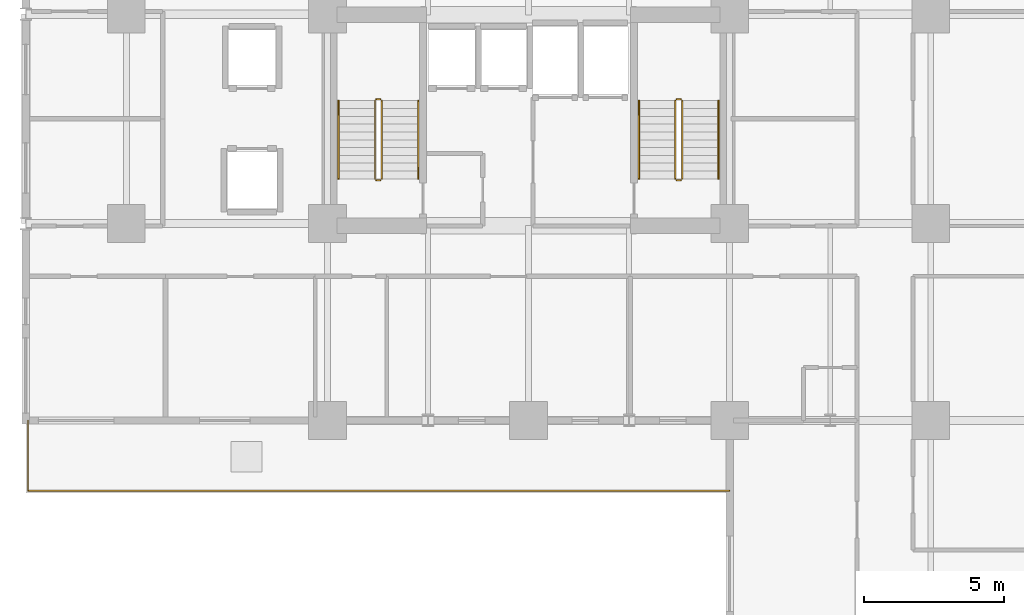
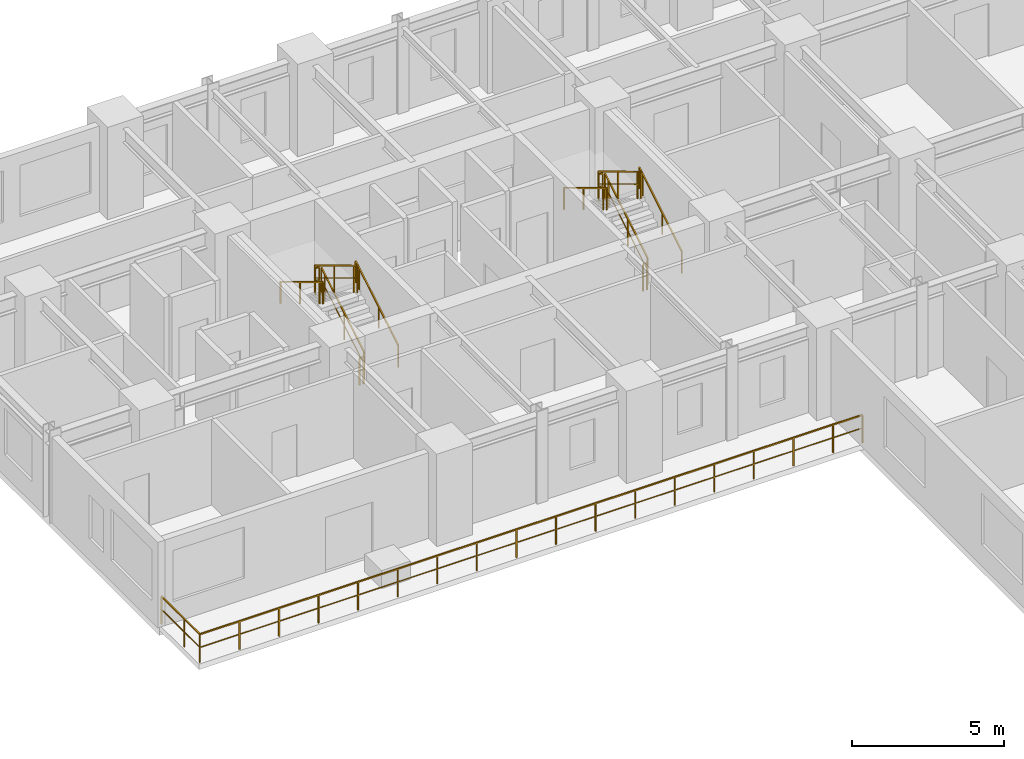
# One storey, part 9 of 11: 14 railings.
"""IFC4 building model written with IfcOpenShell, lengths in metres."""

from ifc_helpers import new_model, si_unit, direction, frame, origin, origin_2d, place, context, subcontext, project, spatial, rectangle, extrude, material, type_object, element, save


model = new_model("IFC4")

# Units and contexts
model_context = context("Model", 3, precision=1e-05, world=origin(), true_north=direction((0.0, 1.0)))
body_context = subcontext(model_context, "Body", "Model", "MODEL_VIEW")
ifc_project = project(units=[si_unit("LENGTHUNIT", "METRE"), si_unit("AREAUNIT", "SQUARE_METRE"), si_unit("VOLUMEUNIT", "CUBIC_METRE"), si_unit("PLANEANGLEUNIT", "RADIAN"), si_unit("MASSUNIT", "GRAM", prefix="KILO")], contexts=[model_context])

# Site, building, storey
site_placement = place(None, origin())
site = spatial("IfcSite", under=ifc_project, at=site_placement, CompositionType="ELEMENT")
building_placement = place(site_placement, origin())
building = spatial("IfcBuilding", under=site, at=building_placement, Name="Kaliganga Portal Commons", CompositionType="ELEMENT")
storey_placement = place(building_placement, frame((0.0, 0.0, 25.300048828125)))
storey = spatial("IfcBuildingStorey", under=building, at=storey_placement, Name="L05", CompositionType="ELEMENT", Elevation=25.300048828125)

# Railings
ifc_material_1 = material(Name="Laminated Safety Glass and Stainless Steel 316", Category="steel")
railing_type_1 = type_object("IfcRailingType", Name="RLG-BAL-1150", PredefinedType="BALUSTRADE", material=ifc_material_1)
railing_1_placement = place(storey_placement, frame((3.679931640625, 21.60009765625, 0.0)))
element("IfcRailing", 1, at=railing_1_placement, inside=storey, type_object=railing_type_1, Name="Terrace Guardrail L05 skygarden_l05-01-1", PredefinedType="BALUSTRADE", context=body_context, shape_type="SweptSolid", body=[
    extrude(rectangle(XDim=0.048095703125, YDim=0.048095703125, at=origin_2d()), frame((0.0, 0.0, 1.1259765625), z_axis=(0.0, -1.0, 0.0), x_axis=(1.0, 0.0, 0.0)), (0.0, 0.0, 1.0), 2.52001953125),
    extrude(rectangle(XDim=0.028076171875, YDim=0.028076171875, at=origin_2d()), frame((0.0, 0.0, 0.597900390625), z_axis=(0.0, -1.0, 0.0), x_axis=(1.0, 0.0, 0.0)), (0.0, 0.0, 1.0), 2.52001953125),
    extrude(rectangle(XDim=0.0419921875, YDim=0.0419921875, at=origin_2d()), origin(), (0.0, 0.0, 1.0), 1.101806640625),
    extrude(rectangle(XDim=0.0419921875, YDim=0.0419921875, at=origin_2d()), frame((0.0, -1.5, 0.0)), (0.0, 0.0, 1.0), 1.101806640625),
    extrude(rectangle(XDim=0.0419921875, YDim=0.0419921875, at=origin_2d()), frame((0.0, -2.52001953125, 0.0)), (0.0, 0.0, 1.0), 1.101806640625),
])
railing_2_placement = place(storey_placement, frame((3.679931640625, 19.080078125, 0.0)))
element("IfcRailing", 2, at=railing_2_placement, inside=storey, type_object=railing_type_1, Name="Terrace Guardrail L05 skygarden_l05-02-1", PredefinedType="BALUSTRADE", context=body_context, shape_type="SweptSolid", body=[
    extrude(rectangle(XDim=0.048095703125, YDim=0.048095703125, at=origin_2d()), frame((0.0, 0.0, 1.1259765625), z_axis=(1.0, 0.0, 0.0), x_axis=(0.0, 1.0, 0.0)), (0.0, 0.0, 1.0), 25.1201171875),
    extrude(rectangle(XDim=0.028076171875, YDim=0.028076171875, at=origin_2d()), frame((0.0, 0.0, 0.597900390625), z_axis=(1.0, 0.0, 0.0), x_axis=(0.0, 1.0, 0.0)), (0.0, 0.0, 1.0), 25.1201171875),
    extrude(rectangle(XDim=0.0419921875, YDim=0.0419921875, at=origin_2d()), origin(), (0.0, 0.0, 1.0), 1.101806640625),
    extrude(rectangle(XDim=0.0419921875, YDim=0.0419921875, at=origin_2d()), frame((1.5, 0.0, 0.0)), (0.0, 0.0, 1.0), 1.101806640625),
    extrude(rectangle(XDim=0.0419921875, YDim=0.0419921875, at=origin_2d()), frame((3.0, 0.0, 0.0)), (0.0, 0.0, 1.0), 1.101806640625),
    extrude(rectangle(XDim=0.0419921875, YDim=0.0419921875, at=origin_2d()), frame((4.5, 0.0, 0.0)), (0.0, 0.0, 1.0), 1.101806640625),
    extrude(rectangle(XDim=0.0419921875, YDim=0.0419921875, at=origin_2d()), frame((6.0, 0.0, 0.0)), (0.0, 0.0, 1.0), 1.101806640625),
    extrude(rectangle(XDim=0.0419921875, YDim=0.0419921875, at=origin_2d()), frame((7.5, 0.0, 0.0)), (0.0, 0.0, 1.0), 1.101806640625),
    extrude(rectangle(XDim=0.0419921875, YDim=0.0419921875, at=origin_2d()), frame((9.0, 0.0, 0.0)), (0.0, 0.0, 1.0), 1.101806640625),
    extrude(rectangle(XDim=0.0419921875, YDim=0.0419921875, at=origin_2d()), frame((10.5, 0.0, 0.0)), (0.0, 0.0, 1.0), 1.101806640625),
    extrude(rectangle(XDim=0.0419921875, YDim=0.0419921875, at=origin_2d()), frame((12.0, 0.0, 0.0)), (0.0, 0.0, 1.0), 1.101806640625),
    extrude(rectangle(XDim=0.0419921875, YDim=0.0419921875, at=origin_2d()), frame((13.5, 0.0, 0.0)), (0.0, 0.0, 1.0), 1.101806640625),
    extrude(rectangle(XDim=0.0419921875, YDim=0.0419921875, at=origin_2d()), frame((15.0, 0.0, 0.0)), (0.0, 0.0, 1.0), 1.101806640625),
    extrude(rectangle(XDim=0.0419921875, YDim=0.0419921875, at=origin_2d()), frame((16.5, 0.0, 0.0)), (0.0, 0.0, 1.0), 1.101806640625),
    extrude(rectangle(XDim=0.0419921875, YDim=0.0419921875, at=origin_2d()), frame((18.0, 0.0, 0.0)), (0.0, 0.0, 1.0), 1.101806640625),
    extrude(rectangle(XDim=0.0419921875, YDim=0.0419921875, at=origin_2d()), frame((19.5, 0.0, 0.0)), (0.0, 0.0, 1.0), 1.101806640625),
    extrude(rectangle(XDim=0.0419921875, YDim=0.0419921875, at=origin_2d()), frame((21.0, 0.0, 0.0)), (0.0, 0.0, 1.0), 1.101806640625),
    extrude(rectangle(XDim=0.0419921875, YDim=0.0419921875, at=origin_2d()), frame((22.5, 0.0, 0.0)), (0.0, 0.0, 1.0), 1.101806640625),
    extrude(rectangle(XDim=0.0419921875, YDim=0.0419921875, at=origin_2d()), frame((24.0, 0.0, 0.0)), (0.0, 0.0, 1.0), 1.101806640625),
    extrude(rectangle(XDim=0.0419921875, YDim=0.0419921875, at=origin_2d()), frame((25.1201171875, 0.0, 0.0)), (0.0, 0.0, 1.0), 1.101806640625),
])
ifc_material_2 = material(Name="Galvanized Painted Steel Balustrade", Category="steel")
railing_type_2 = type_object("IfcRailingType", Name="RLG-STAIR-GRD", PredefinedType="GUARDRAIL", material=ifc_material_2)
railing_3_placement = place(storey_placement, frame((16.35009765625, 30.25, 0.168212890625)))
element("IfcRailing", 3, at=railing_3_placement, inside=storey, type_object=railing_type_2, Name="L05 ST-A1 stair guard 1", PredefinedType="GUARDRAIL", context=body_context, shape_type="SweptSolid", body=[
    extrude(rectangle(XDim=0.048095703125, YDim=0.048095703125, at=origin_2d()), frame((0.0, 0.0, 1.072021484375), z_axis=(0.0, 0.857275202839, 0.514858452973), x_axis=(-1.0, 0.0, 0.0)), (0.0, 0.0, 1.0), 3.26611328125),
    extrude(rectangle(XDim=0.028076171875, YDim=0.028076171875, at=origin_2d()), frame((0.0, 0.0, 0.572021484375), z_axis=(0.0, 0.857275202839, 0.514858452973), x_axis=(-1.0, 0.0, 0.0)), (0.0, 0.0, 1.0), 3.26611328125),
    extrude(rectangle(XDim=0.0419921875, YDim=0.0419921875, at=origin_2d()), origin(), (0.0, 0.0, 1.0), 1.052001953125),
    extrude(rectangle(XDim=0.0419921875, YDim=0.0419921875, at=origin_2d()), frame((0.0, 1.285888671875, 0.772216796875)), (0.0, 0.0, 1.0), 1.052001953125),
    extrude(rectangle(XDim=0.0419921875, YDim=0.0419921875, at=origin_2d()), frame((0.0, 2.57177734375, 1.544677734375)), (0.0, 0.0, 1.0), 1.052001953125),
    extrude(rectangle(XDim=0.0419921875, YDim=0.0419921875, at=origin_2d()), frame((0.0, 2.800048828125, 1.681640625)), (0.0, 0.0, 1.0), 1.052001953125),
])
railing_4_placement = place(storey_placement, frame((16.300048828125, 33.10009765625, 1.849853515625)))
element("IfcRailing", 4, at=railing_4_placement, inside=storey, type_object=railing_type_2, Name="L05 ST-A1 stair guard 2", PredefinedType="GUARDRAIL", context=body_context, shape_type="SweptSolid", body=[
    extrude(rectangle(XDim=0.048095703125, YDim=0.048095703125, at=origin_2d()), frame((0.0, 0.0, 1.076171875), z_axis=(-1.0, 0.0, 0.0), x_axis=(0.0, -1.0, 0.0)), (0.0, 0.0, 1.0), 0.150146484375),
    extrude(rectangle(XDim=0.028076171875, YDim=0.028076171875, at=origin_2d()), frame((0.0, 0.0, 0.572021484375), z_axis=(-1.0, 0.0, 0.0), x_axis=(0.0, -1.0, 0.0)), (0.0, 0.0, 1.0), 0.150146484375),
    extrude(rectangle(XDim=0.0419921875, YDim=0.0419921875, at=origin_2d()), origin(), (0.0, 0.0, 1.0), 1.052001953125),
    extrude(rectangle(XDim=0.0419921875, YDim=0.0419921875, at=origin_2d()), frame((-0.150146484375, 0.0, 0.0)), (0.0, 0.0, 1.0), 1.052001953125),
])
railing_5_placement = place(storey_placement, frame((16.10009765625, 33.050048828125, 2.01806640625)))
element("IfcRailing", 5, at=railing_5_placement, inside=storey, type_object=railing_type_2, Name="L05 ST-A1 stair guard 3", PredefinedType="GUARDRAIL", context=body_context, shape_type="SweptSolid", body=[
    extrude(rectangle(XDim=0.048095703125, YDim=0.048095703125, at=origin_2d()), frame((0.0, 0.0, 1.072021484375), z_axis=(0.0, -0.857242210791, 0.514913383045), x_axis=(1.0, 0.0, 0.0)), (0.0, 0.0, 1.0), 3.266357421875),
    extrude(rectangle(XDim=0.028076171875, YDim=0.028076171875, at=origin_2d()), frame((0.0, 0.0, 0.572021484375), z_axis=(0.0, -0.857242210791, 0.514913383045), x_axis=(1.0, 0.0, 0.0)), (0.0, 0.0, 1.0), 3.266357421875),
    extrude(rectangle(XDim=0.0419921875, YDim=0.0419921875, at=origin_2d()), origin(), (0.0, 0.0, 1.0), 1.052001953125),
    extrude(rectangle(XDim=0.0419921875, YDim=0.0419921875, at=origin_2d()), frame((0.0, -1.285888671875, 0.7724609375)), (0.0, 0.0, 1.0), 1.052001953125),
    extrude(rectangle(XDim=0.0419921875, YDim=0.0419921875, at=origin_2d()), frame((0.0, -2.57177734375, 1.544677734375)), (0.0, 0.0, 1.0), 1.052001953125),
    extrude(rectangle(XDim=0.0419921875, YDim=0.0419921875, at=origin_2d()), frame((0.0, -2.800048828125, 1.681884765625)), (0.0, 0.0, 1.0), 1.052001953125),
])
railing_6_placement = place(storey_placement, frame((16.300048828125, 30.199951171875, 0.0)))
element("IfcRailing", 6, at=railing_6_placement, inside=storey, type_object=railing_type_2, Name="L05 ST-A1 stair guard 4", PredefinedType="GUARDRAIL", context=body_context, shape_type="SweptSolid", body=[
    extrude(rectangle(XDim=0.048095703125, YDim=0.048095703125, at=origin_2d()), frame((0.0, 0.0, 1.076171875), z_axis=(-1.0, 0.0, 0.0), x_axis=(0.0, -1.0, 0.0)), (0.0, 0.0, 1.0), 0.150146484375),
    extrude(rectangle(XDim=0.028076171875, YDim=0.028076171875, at=origin_2d()), frame((0.0, 0.0, 0.572021484375), z_axis=(-1.0, 0.0, 0.0), x_axis=(0.0, -1.0, 0.0)), (0.0, 0.0, 1.0), 0.150146484375),
    extrude(rectangle(XDim=0.0419921875, YDim=0.0419921875, at=origin_2d()), origin(), (0.0, 0.0, 1.0), 1.052001953125),
    extrude(rectangle(XDim=0.0419921875, YDim=0.0419921875, at=origin_2d()), frame((-0.150146484375, 0.0, 0.0)), (0.0, 0.0, 1.0), 1.052001953125),
])
railing_7_placement = place(storey_placement, frame((27.10009765625, 30.25, 0.168212890625)))
element("IfcRailing", 7, at=railing_7_placement, inside=storey, type_object=railing_type_2, Name="L05 ST-A2 stair guard 1", PredefinedType="GUARDRAIL", context=body_context, shape_type="SweptSolid", body=[
    extrude(rectangle(XDim=0.048095703125, YDim=0.048095703125, at=origin_2d()), frame((0.0, 0.0, 1.072021484375), z_axis=(0.0, 0.857275202839, 0.514858452973), x_axis=(-1.0, 0.0, 0.0)), (0.0, 0.0, 1.0), 3.26611328125),
    extrude(rectangle(XDim=0.028076171875, YDim=0.028076171875, at=origin_2d()), frame((0.0, 0.0, 0.572021484375), z_axis=(0.0, 0.857275202839, 0.514858452973), x_axis=(-1.0, 0.0, 0.0)), (0.0, 0.0, 1.0), 3.26611328125),
    extrude(rectangle(XDim=0.0419921875, YDim=0.0419921875, at=origin_2d()), origin(), (0.0, 0.0, 1.0), 1.052001953125),
    extrude(rectangle(XDim=0.0419921875, YDim=0.0419921875, at=origin_2d()), frame((0.0, 1.285888671875, 0.772216796875)), (0.0, 0.0, 1.0), 1.052001953125),
    extrude(rectangle(XDim=0.0419921875, YDim=0.0419921875, at=origin_2d()), frame((0.0, 2.57177734375, 1.544677734375)), (0.0, 0.0, 1.0), 1.052001953125),
    extrude(rectangle(XDim=0.0419921875, YDim=0.0419921875, at=origin_2d()), frame((0.0, 2.800048828125, 1.681640625)), (0.0, 0.0, 1.0), 1.052001953125),
])
railing_8_placement = place(storey_placement, frame((27.050048828125, 33.10009765625, 1.849853515625)))
element("IfcRailing", 8, at=railing_8_placement, inside=storey, type_object=railing_type_2, Name="L05 ST-A2 stair guard 2", PredefinedType="GUARDRAIL", context=body_context, shape_type="SweptSolid", body=[
    extrude(rectangle(XDim=0.048095703125, YDim=0.048095703125, at=origin_2d()), frame((0.0, 0.0, 1.076171875), z_axis=(-1.0, 0.0, 0.0), x_axis=(0.0, -1.0, 0.0)), (0.0, 0.0, 1.0), 0.150146484375),
    extrude(rectangle(XDim=0.028076171875, YDim=0.028076171875, at=origin_2d()), frame((0.0, 0.0, 0.572021484375), z_axis=(-1.0, 0.0, 0.0), x_axis=(0.0, -1.0, 0.0)), (0.0, 0.0, 1.0), 0.150146484375),
    extrude(rectangle(XDim=0.0419921875, YDim=0.0419921875, at=origin_2d()), origin(), (0.0, 0.0, 1.0), 1.052001953125),
    extrude(rectangle(XDim=0.0419921875, YDim=0.0419921875, at=origin_2d()), frame((-0.150146484375, 0.0, 0.0)), (0.0, 0.0, 1.0), 1.052001953125),
])
railing_9_placement = place(storey_placement, frame((26.85009765625, 33.050048828125, 2.01806640625)))
element("IfcRailing", 9, at=railing_9_placement, inside=storey, type_object=railing_type_2, Name="L05 ST-A2 stair guard 3", PredefinedType="GUARDRAIL", context=body_context, shape_type="SweptSolid", body=[
    extrude(rectangle(XDim=0.048095703125, YDim=0.048095703125, at=origin_2d()), frame((0.0, 0.0, 1.072021484375), z_axis=(0.0, -0.857242210791, 0.514913383045), x_axis=(1.0, 0.0, 0.0)), (0.0, 0.0, 1.0), 3.266357421875),
    extrude(rectangle(XDim=0.028076171875, YDim=0.028076171875, at=origin_2d()), frame((0.0, 0.0, 0.572021484375), z_axis=(0.0, -0.857242210791, 0.514913383045), x_axis=(1.0, 0.0, 0.0)), (0.0, 0.0, 1.0), 3.266357421875),
    extrude(rectangle(XDim=0.0419921875, YDim=0.0419921875, at=origin_2d()), origin(), (0.0, 0.0, 1.0), 1.052001953125),
    extrude(rectangle(XDim=0.0419921875, YDim=0.0419921875, at=origin_2d()), frame((0.0, -1.285888671875, 0.7724609375)), (0.0, 0.0, 1.0), 1.052001953125),
    extrude(rectangle(XDim=0.0419921875, YDim=0.0419921875, at=origin_2d()), frame((0.0, -2.57177734375, 1.544677734375)), (0.0, 0.0, 1.0), 1.052001953125),
    extrude(rectangle(XDim=0.0419921875, YDim=0.0419921875, at=origin_2d()), frame((0.0, -2.800048828125, 1.681884765625)), (0.0, 0.0, 1.0), 1.052001953125),
])
railing_10_placement = place(storey_placement, frame((27.050048828125, 30.199951171875, 0.0)))
element("IfcRailing", 10, at=railing_10_placement, inside=storey, type_object=railing_type_2, Name="L05 ST-A2 stair guard 4", PredefinedType="GUARDRAIL", context=body_context, shape_type="SweptSolid", body=[
    extrude(rectangle(XDim=0.048095703125, YDim=0.048095703125, at=origin_2d()), frame((0.0, 0.0, 1.076171875), z_axis=(-1.0, 0.0, 0.0), x_axis=(0.0, -1.0, 0.0)), (0.0, 0.0, 1.0), 0.150146484375),
    extrude(rectangle(XDim=0.028076171875, YDim=0.028076171875, at=origin_2d()), frame((0.0, 0.0, 0.572021484375), z_axis=(-1.0, 0.0, 0.0), x_axis=(0.0, -1.0, 0.0)), (0.0, 0.0, 1.0), 0.150146484375),
    extrude(rectangle(XDim=0.0419921875, YDim=0.0419921875, at=origin_2d()), origin(), (0.0, 0.0, 1.0), 1.052001953125),
    extrude(rectangle(XDim=0.0419921875, YDim=0.0419921875, at=origin_2d()), frame((-0.150146484375, 0.0, 0.0)), (0.0, 0.0, 1.0), 1.052001953125),
])
ifc_material_3 = material(Name="Brushed Stainless Steel 316", Category="steel")
railing_type_3 = type_object("IfcRailingType", Name="RLG-STAIR-HR", PredefinedType="HANDRAIL", material=ifc_material_3)
railing_11_placement = place(storey_placement, frame((17.64990234375, 30.25, 0.168212890625)))
element("IfcRailing", 11, at=railing_11_placement, inside=storey, type_object=railing_type_3, Name="L05 ST-A1 stair handrail 1", PredefinedType="HANDRAIL", context=body_context, shape_type="SweptSolid", body=[
    extrude(rectangle(XDim=0.048095703125, YDim=0.048095703125, at=origin_2d()), frame((0.0, 0.0, 0.871826171875), z_axis=(0.0, 0.857275202839, 0.514858452973), x_axis=(-1.0, 0.0, 0.0)), (0.0, 0.0, 1.0), 3.26611328125),
    extrude(rectangle(XDim=0.0419921875, YDim=0.0419921875, at=origin_2d()), origin(), (0.0, 0.0, 1.0), 0.851806640625),
    extrude(rectangle(XDim=0.0419921875, YDim=0.0419921875, at=origin_2d()), frame((0.0, 1.285888671875, 0.772216796875)), (0.0, 0.0, 1.0), 0.851806640625),
    extrude(rectangle(XDim=0.0419921875, YDim=0.0419921875, at=origin_2d()), frame((0.0, 2.57177734375, 1.544677734375)), (0.0, 0.0, 1.0), 0.851806640625),
    extrude(rectangle(XDim=0.0419921875, YDim=0.0419921875, at=origin_2d()), frame((0.0, 2.800048828125, 1.681640625)), (0.0, 0.0, 1.0), 0.851806640625),
])
railing_12_placement = place(storey_placement, frame((14.800048828125, 33.050048828125, 2.01806640625)))
element("IfcRailing", 12, at=railing_12_placement, inside=storey, type_object=railing_type_3, Name="L05 ST-A1 stair handrail 2", PredefinedType="HANDRAIL", context=body_context, shape_type="SweptSolid", body=[
    extrude(rectangle(XDim=0.048095703125, YDim=0.048095703125, at=origin_2d()), frame((0.0, 0.0, 0.871826171875), z_axis=(0.0, -0.857242210791, 0.514913383045), x_axis=(1.0, 0.0, 0.0)), (0.0, 0.0, 1.0), 3.266357421875),
    extrude(rectangle(XDim=0.0419921875, YDim=0.0419921875, at=origin_2d()), origin(), (0.0, 0.0, 1.0), 0.851806640625),
    extrude(rectangle(XDim=0.0419921875, YDim=0.0419921875, at=origin_2d()), frame((0.0, -1.285888671875, 0.7724609375)), (0.0, 0.0, 1.0), 0.851806640625),
    extrude(rectangle(XDim=0.0419921875, YDim=0.0419921875, at=origin_2d()), frame((0.0, -2.57177734375, 1.544677734375)), (0.0, 0.0, 1.0), 0.851806640625),
    extrude(rectangle(XDim=0.0419921875, YDim=0.0419921875, at=origin_2d()), frame((0.0, -2.800048828125, 1.681884765625)), (0.0, 0.0, 1.0), 0.851806640625),
])
railing_13_placement = place(storey_placement, frame((28.39990234375, 30.25, 0.168212890625)))
element("IfcRailing", 13, at=railing_13_placement, inside=storey, type_object=railing_type_3, Name="L05 ST-A2 stair handrail 1", PredefinedType="HANDRAIL", context=body_context, shape_type="SweptSolid", body=[
    extrude(rectangle(XDim=0.048095703125, YDim=0.048095703125, at=origin_2d()), frame((0.0, 0.0, 0.871826171875), z_axis=(0.0, 0.857275202839, 0.514858452973), x_axis=(-1.0, 0.0, 0.0)), (0.0, 0.0, 1.0), 3.26611328125),
    extrude(rectangle(XDim=0.0419921875, YDim=0.0419921875, at=origin_2d()), origin(), (0.0, 0.0, 1.0), 0.851806640625),
    extrude(rectangle(XDim=0.0419921875, YDim=0.0419921875, at=origin_2d()), frame((0.0, 1.285888671875, 0.772216796875)), (0.0, 0.0, 1.0), 0.851806640625),
    extrude(rectangle(XDim=0.0419921875, YDim=0.0419921875, at=origin_2d()), frame((0.0, 2.57177734375, 1.544677734375)), (0.0, 0.0, 1.0), 0.851806640625),
    extrude(rectangle(XDim=0.0419921875, YDim=0.0419921875, at=origin_2d()), frame((0.0, 2.800048828125, 1.681640625)), (0.0, 0.0, 1.0), 0.851806640625),
])
railing_14_placement = place(storey_placement, frame((25.550048828125, 33.050048828125, 2.01806640625)))
element("IfcRailing", 14, at=railing_14_placement, inside=storey, type_object=railing_type_3, Name="L05 ST-A2 stair handrail 2", PredefinedType="HANDRAIL", context=body_context, shape_type="SweptSolid", body=[
    extrude(rectangle(XDim=0.048095703125, YDim=0.048095703125, at=origin_2d()), frame((0.0, 0.0, 0.871826171875), z_axis=(0.0, -0.857242210791, 0.514913383045), x_axis=(1.0, 0.0, 0.0)), (0.0, 0.0, 1.0), 3.266357421875),
    extrude(rectangle(XDim=0.0419921875, YDim=0.0419921875, at=origin_2d()), origin(), (0.0, 0.0, 1.0), 0.851806640625),
    extrude(rectangle(XDim=0.0419921875, YDim=0.0419921875, at=origin_2d()), frame((0.0, -1.285888671875, 0.7724609375)), (0.0, 0.0, 1.0), 0.851806640625),
    extrude(rectangle(XDim=0.0419921875, YDim=0.0419921875, at=origin_2d()), frame((0.0, -2.57177734375, 1.544677734375)), (0.0, 0.0, 1.0), 0.851806640625),
    extrude(rectangle(XDim=0.0419921875, YDim=0.0419921875, at=origin_2d()), frame((0.0, -2.800048828125, 1.681884765625)), (0.0, 0.0, 1.0), 0.851806640625),
])

save(model, "model.ifc")
